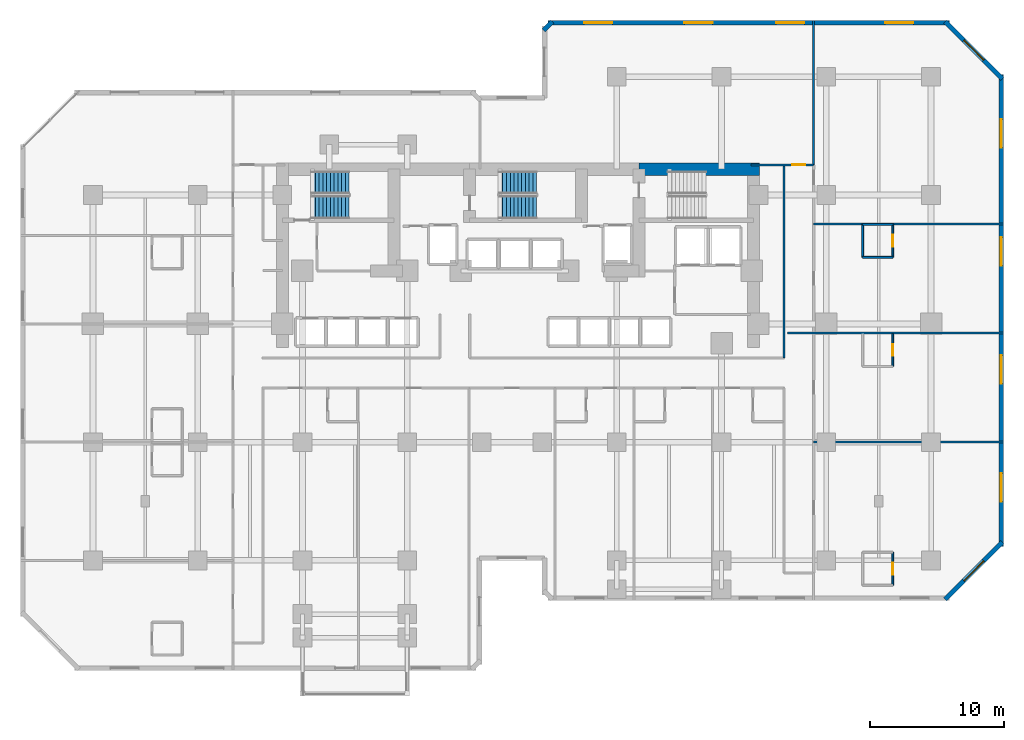
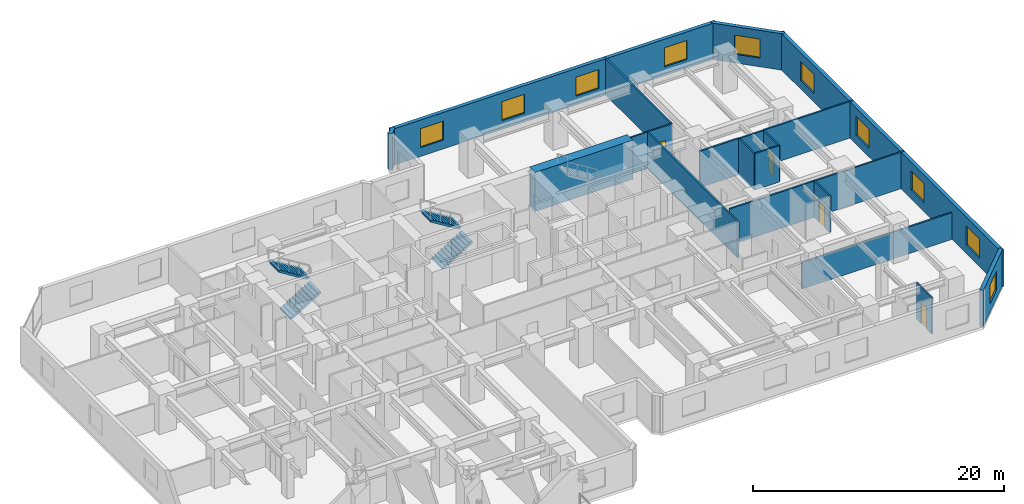
# One storey, part 9 of 12: 19 walls, 10 windows, 4 doors, 4 stair flights, 14 openings, 2 elements without a shape of their own.
"""IFC4 building model written with IfcOpenShell, lengths in metres."""

from ifc_helpers import new_model, si_unit, direction, frame, frame_2d, origin, place, context, subcontext, project, spatial, polyline, rectangle, outline, extrude, material, layer, layer_set, type_object, element, fill, aggregate, save


model = new_model("IFC4")

# Units and contexts
model_context = context("Model", 3, precision=1e-05, world=origin(), true_north=direction((0.0, 1.0)))
body_context = subcontext(model_context, "Body", "Model", "MODEL_VIEW")
ifc_project = project(units=[si_unit("LENGTHUNIT", "METRE"), si_unit("AREAUNIT", "SQUARE_METRE"), si_unit("VOLUMEUNIT", "CUBIC_METRE"), si_unit("PLANEANGLEUNIT", "RADIAN"), si_unit("MASSUNIT", "GRAM", prefix="KILO")], contexts=[model_context])

# Site, building, storey
site_placement = place(None, origin())
site = spatial("IfcSite", under=ifc_project, at=site_placement, CompositionType="ELEMENT")
building_placement = place(site_placement, origin())
building = spatial("IfcBuilding", under=site, at=building_placement, Name="Kestravale Grand Hotel", CompositionType="ELEMENT")
storey_placement = place(building_placement, frame((0.0, 0.0, 60.199951171875)))
storey = spatial("IfcBuildingStorey", under=building, at=storey_placement, Name="L14", CompositionType="ELEMENT", Elevation=60.199951171875)

# Wall
ifc_material_1 = material(Name="Concrete f'c 70 MPa", Category="concrete")
ifc_layer_1 = layer(ifc_material_1, 0.89990234375)
ifc_layer_set_1 = layer_set([ifc_layer_1], Name="EW-CORE-900")
wall_type_1 = type_object("IfcWallType", Name="EW-CORE-900", PredefinedType="SHEAR", material=ifc_layer_set_1)
wall_1_placement = place(storey_placement, frame((48.449951171875, 40.320068359375, 0.0), z_axis=(0.0, 0.0, 1.0), x_axis=(1.0, 0.0, 0.0)))
element("IfcWall", 1, at=wall_1_placement, inside=storey, type_object=wall_type_1, Name="L14 core shear wall N3", PredefinedType="SHEAR", context=body_context, shape_type="SweptSolid", body=[
    extrude(rectangle(XDim=8.969970703125, YDim=0.89990234375, at=frame_2d((4.48486328125, 0.0))), origin(), (0.0, 0.0, 1.0), 3.800048828125),
])

# Wall, opening, window
ifc_material_2 = material(Name="Precast concrete f'c 45 MPa", Category="concrete")
ifc_layer_2 = layer(ifc_material_2, 0.340087890625)
ifc_layer_set_2 = layer_set([ifc_layer_2], Name="EW-PREC-340")
wall_type_2 = type_object("IfcWallType", Name="EW-PREC-340", PredefinedType="SOLIDWALL", material=ifc_layer_set_2)
wall_2_placement = place(storey_placement, frame((71.25146484375, 8.2919921875, 0.0), z_axis=(0.0, 0.0, 1.0), x_axis=(0.707106781187, 0.707106781187, 0.0)))
wall_2 = element("IfcWall", 2, at=wall_2_placement, inside=storey, type_object=wall_type_2, Name="L14 fluted precast facade wall 8", PredefinedType="SOLIDWALL", context=body_context, shape_type="SweptSolid", body=[
    extrude(rectangle(XDim=6.019775390625, YDim=0.340087890625, at=frame_2d((3.009765625, 0.0))), origin(), (0.0, 0.0, 1.0), 3.5400390625),
])
opening_1_placement = place(wall_2_placement, frame((1.9599609375, 0.0, 0.85009765625)))
opening_1 = element("IfcOpeningElement", 3, at=opening_1_placement, cuts=wall_2, Name="Opening W-GUEST-2100", PredefinedType="OPENING", context=body_context, shape_type="SweptSolid", body=[
    extrude(rectangle(XDim=2.10009765625, YDim=1.85009765625, at=frame_2d((1.050048828125, 0.925048828125))), frame((0.0, 0.179931640625, 0.0), z_axis=(0.0, -1.0, 0.0), x_axis=(1.0, 0.0, 0.0)), (0.0, 0.0, 1.0), 0.360107421875),
])
ifc_material_3 = material(Name="Insulated low-E double glazing in aluminium frame", Category="aluminium")
window_type = type_object("IfcWindowType", Name="W-GUEST-2100", PartitioningType="DOUBLE_PANEL_VERTICAL", PredefinedType="WINDOW", material=ifc_material_3)
window_1_placement = place(opening_1_placement, origin())
window_1 = element("IfcWindow", 4, at=window_1_placement, inside=storey, type_object=window_type, Name="L14 exterior window 8.1", OverallHeight=1.85009765625, OverallWidth=2.10009765625, PartitioningType="SINGLE_PANEL", PredefinedType="WINDOW", context=body_context, shape_type="SweptSolid", body=[
    extrude(rectangle(XDim=2.10009765625, YDim=1.85009765625, at=frame_2d((1.050048828125, 0.925048828125))), frame((0.0, 0.030029296875, 0.0), z_axis=(0.0, -1.0, 0.0), x_axis=(1.0, 0.0, 0.0)), (0.0, 0.0, 1.0), 0.06005859375),
])
fill(opening_1, window_1)

# Wall, openings, windows
wall_3_placement = place(storey_placement, frame((75.429931640625, 12.22998046875, 0.0), z_axis=(0.0, 0.0, 1.0), x_axis=(0.0, 1.0, 0.0)))
wall_3 = element("IfcWall", 5, at=wall_3_placement, inside=storey, type_object=wall_type_2, Name="L14 fluted precast facade wall 9", PredefinedType="SOLIDWALL", context=body_context, shape_type="SweptSolid", body=[
    extrude(rectangle(XDim=35.14013671875, YDim=0.340087890625, at=frame_2d((17.570068359375, 0.0))), origin(), (0.0, 0.0, 1.0), 3.5400390625),
])
opening_2_placement = place(wall_3_placement, frame((3.342529296875, 0.0, 0.85009765625)))
opening_2 = element("IfcOpeningElement", 6, at=opening_2_placement, cuts=wall_3, Name="Opening W-GUEST-2100", PredefinedType="OPENING", context=body_context, shape_type="SweptSolid", body=[
    extrude(rectangle(XDim=2.10009765625, YDim=1.85009765625, at=frame_2d((1.050048828125, 0.925048828125))), frame((0.0, 0.179931640625, 0.0), z_axis=(0.0, -1.0, 0.0), x_axis=(1.0, 0.0, 0.0)), (0.0, 0.0, 1.0), 0.360107421875),
])
opening_3_placement = place(wall_3_placement, frame((12.12744140625, 0.0, 0.85009765625)))
opening_3 = element("IfcOpeningElement", 7, at=opening_3_placement, cuts=wall_3, Name="Opening W-GUEST-2100", PredefinedType="OPENING", context=body_context, shape_type="SweptSolid", body=[
    extrude(rectangle(XDim=2.10009765625, YDim=1.85009765625, at=frame_2d((1.050048828125, 0.925048828125))), frame((0.0, 0.179931640625, 0.0), z_axis=(0.0, -1.0, 0.0), x_axis=(1.0, 0.0, 0.0)), (0.0, 0.0, 1.0), 0.360107421875),
])
opening_4_placement = place(wall_3_placement, frame((20.91259765625, 0.0, 0.85009765625)))
opening_4 = element("IfcOpeningElement", 8, at=opening_4_placement, cuts=wall_3, Name="Opening W-GUEST-2100", PredefinedType="OPENING", context=body_context, shape_type="SweptSolid", body=[
    extrude(rectangle(XDim=2.10009765625, YDim=1.85009765625, at=frame_2d((1.050048828125, 0.925048828125))), frame((0.0, 0.179931640625, 0.0), z_axis=(0.0, -1.0, 0.0), x_axis=(1.0, 0.0, 0.0)), (0.0, 0.0, 1.0), 0.360107421875),
])
opening_5_placement = place(wall_3_placement, frame((29.697509765625, 0.0, 0.85009765625)))
opening_5 = element("IfcOpeningElement", 9, at=opening_5_placement, cuts=wall_3, Name="Opening W-GUEST-2100", PredefinedType="OPENING", context=body_context, shape_type="SweptSolid", body=[
    extrude(rectangle(XDim=2.10009765625, YDim=1.85009765625, at=frame_2d((1.050048828125, 0.925048828125))), frame((0.0, 0.179931640625, 0.0), z_axis=(0.0, -1.0, 0.0), x_axis=(1.0, 0.0, 0.0)), (0.0, 0.0, 1.0), 0.360107421875),
])
window_2_placement = place(opening_2_placement, origin())
window_2 = element("IfcWindow", 10, at=window_2_placement, inside=storey, type_object=window_type, Name="L14 exterior window 9.1", OverallHeight=1.85009765625, OverallWidth=2.10009765625, PartitioningType="SINGLE_PANEL", PredefinedType="WINDOW", context=body_context, shape_type="SweptSolid", body=[
    extrude(rectangle(XDim=2.10009765625, YDim=1.85009765625, at=frame_2d((1.050048828125, 0.925048828125))), frame((0.0, 0.030029296875, 0.0), z_axis=(0.0, -1.0, 0.0), x_axis=(1.0, 0.0, 0.0)), (0.0, 0.0, 1.0), 0.06005859375),
])
fill(opening_2, window_2)
window_3_placement = place(opening_3_placement, origin())
window_3 = element("IfcWindow", 11, at=window_3_placement, inside=storey, type_object=window_type, Name="L14 exterior window 9.2", OverallHeight=1.85009765625, OverallWidth=2.10009765625, PartitioningType="SINGLE_PANEL", PredefinedType="WINDOW", context=body_context, shape_type="SweptSolid", body=[
    extrude(rectangle(XDim=2.10009765625, YDim=1.85009765625, at=frame_2d((1.050048828125, 0.925048828125))), frame((0.0, 0.030029296875, 0.0), z_axis=(0.0, -1.0, 0.0), x_axis=(1.0, 0.0, 0.0)), (0.0, 0.0, 1.0), 0.06005859375),
])
fill(opening_3, window_3)
window_4_placement = place(opening_4_placement, origin())
window_4 = element("IfcWindow", 12, at=window_4_placement, inside=storey, type_object=window_type, Name="L14 exterior window 9.3", OverallHeight=1.85009765625, OverallWidth=2.10009765625, PartitioningType="SINGLE_PANEL", PredefinedType="WINDOW", context=body_context, shape_type="SweptSolid", body=[
    extrude(rectangle(XDim=2.10009765625, YDim=1.85009765625, at=frame_2d((1.050048828125, 0.925048828125))), frame((0.0, 0.030029296875, 0.0), z_axis=(0.0, -1.0, 0.0), x_axis=(1.0, 0.0, 0.0)), (0.0, 0.0, 1.0), 0.06005859375),
])
fill(opening_4, window_4)
window_5_placement = place(opening_5_placement, origin())
window_5 = element("IfcWindow", 13, at=window_5_placement, inside=storey, type_object=window_type, Name="L14 exterior window 9.4", OverallHeight=1.85009765625, OverallWidth=2.10009765625, PartitioningType="SINGLE_PANEL", PredefinedType="WINDOW", context=body_context, shape_type="SweptSolid", body=[
    extrude(rectangle(XDim=2.10009765625, YDim=1.85009765625, at=frame_2d((1.050048828125, 0.925048828125))), frame((0.0, 0.030029296875, 0.0), z_axis=(0.0, -1.0, 0.0), x_axis=(1.0, 0.0, 0.0)), (0.0, 0.0, 1.0), 0.06005859375),
])
fill(opening_5, window_5)

# Wall, opening, window
wall_4_placement = place(storey_placement, frame((75.508056640625, 47.051513671875, 0.0), z_axis=(0.0, 0.0, 1.0), x_axis=(-0.707106781187, 0.707106781187, 0.0)))
wall_4 = element("IfcWall", 14, at=wall_4_placement, inside=storey, type_object=wall_type_2, Name="L14 fluted precast facade wall 10", PredefinedType="SOLIDWALL", context=body_context, shape_type="SweptSolid", body=[
    extrude(rectangle(XDim=6.019775390625, YDim=0.340087890625, at=frame_2d((3.009765625, 0.0))), origin(), (0.0, 0.0, 1.0), 3.5400390625),
])
opening_6_placement = place(wall_4_placement, frame((1.9599609375, 0.0, 0.85009765625)))
opening_6 = element("IfcOpeningElement", 15, at=opening_6_placement, cuts=wall_4, Name="Opening W-GUEST-2100", PredefinedType="OPENING", context=body_context, shape_type="SweptSolid", body=[
    extrude(rectangle(XDim=2.10009765625, YDim=1.85009765625, at=frame_2d((1.050048828125, 0.925048828125))), frame((0.0, 0.179931640625, 0.0), z_axis=(0.0, -1.0, 0.0), x_axis=(1.0, 0.0, 0.0)), (0.0, 0.0, 1.0), 0.360107421875),
])
window_6_placement = place(opening_6_placement, origin())
window_6 = element("IfcWindow", 16, at=window_6_placement, inside=storey, type_object=window_type, Name="L14 exterior window 10.1", OverallHeight=1.85009765625, OverallWidth=2.10009765625, PartitioningType="SINGLE_PANEL", PredefinedType="WINDOW", context=body_context, shape_type="SweptSolid", body=[
    extrude(rectangle(XDim=2.10009765625, YDim=1.85009765625, at=frame_2d((1.050048828125, 0.925048828125))), frame((0.0, 0.030029296875, 0.0), z_axis=(0.0, -1.0, 0.0), x_axis=(1.0, 0.0, 0.0)), (0.0, 0.0, 1.0), 0.06005859375),
])
fill(opening_6, window_6)

# Wall, openings, windows
wall_5_placement = place(storey_placement, frame((71.570068359375, 51.22998046875, 0.0), z_axis=(0.0, 0.0, 1.0), x_axis=(-1.0, 0.0, 0.0)))
wall_5 = element("IfcWall", 17, at=wall_5_placement, inside=storey, type_object=wall_type_2, Name="L14 fluted precast facade wall 11", PredefinedType="SOLIDWALL", context=body_context, shape_type="SweptSolid", body=[
    extrude(rectangle(XDim=29.89013671875, YDim=0.340087890625, at=frame_2d((14.945068359375, 0.0))), origin(), (0.0, 0.0, 1.0), 3.5400390625),
])
opening_7_placement = place(wall_5_placement, frame((2.686279296875, 0.0, 0.85009765625)))
opening_7 = element("IfcOpeningElement", 18, at=opening_7_placement, cuts=wall_5, Name="Opening W-GUEST-2100", PredefinedType="OPENING", context=body_context, shape_type="SweptSolid", body=[
    extrude(rectangle(XDim=2.10009765625, YDim=1.85009765625, at=frame_2d((1.050048828125, 0.925048828125))), frame((0.0, 0.179931640625, 0.0), z_axis=(0.0, -1.0, 0.0), x_axis=(1.0, 0.0, 0.0)), (0.0, 0.0, 1.0), 0.360107421875),
])
opening_8_placement = place(wall_5_placement, frame((10.80859375, 0.0, 0.85009765625)))
opening_8 = element("IfcOpeningElement", 19, at=opening_8_placement, cuts=wall_5, Name="Opening W-GUEST-2100", PredefinedType="OPENING", context=body_context, shape_type="SweptSolid", body=[
    extrude(rectangle(XDim=2.10009765625, YDim=1.85009765625, at=frame_2d((1.050048828125, 0.925048828125))), frame((0.0, 0.179931640625, 0.0), z_axis=(0.0, -1.0, 0.0), x_axis=(1.0, 0.0, 0.0)), (0.0, 0.0, 1.0), 0.360107421875),
])
opening_9_placement = place(wall_5_placement, frame((17.631103515625, 0.0, 0.85009765625)))
opening_9 = element("IfcOpeningElement", 20, at=opening_9_placement, cuts=wall_5, Name="Opening W-GUEST-2100", PredefinedType="OPENING", context=body_context, shape_type="SweptSolid", body=[
    extrude(rectangle(XDim=2.10009765625, YDim=1.85009765625, at=frame_2d((1.050048828125, 0.925048828125))), frame((0.0, 0.179931640625, 0.0), z_axis=(0.0, -1.0, 0.0), x_axis=(1.0, 0.0, 0.0)), (0.0, 0.0, 1.0), 0.360107421875),
])
opening_10_placement = place(wall_5_placement, frame((25.103759765625, 0.0, 0.85009765625)))
opening_10 = element("IfcOpeningElement", 21, at=opening_10_placement, cuts=wall_5, Name="Opening W-GUEST-2100", PredefinedType="OPENING", context=body_context, shape_type="SweptSolid", body=[
    extrude(rectangle(XDim=2.10009765625, YDim=1.85009765625, at=frame_2d((1.050048828125, 0.925048828125))), frame((0.0, 0.179931640625, 0.0), z_axis=(0.0, -1.0, 0.0), x_axis=(1.0, 0.0, 0.0)), (0.0, 0.0, 1.0), 0.360107421875),
])
window_7_placement = place(opening_7_placement, origin())
window_7 = element("IfcWindow", 22, at=window_7_placement, inside=storey, type_object=window_type, Name="L14 exterior window 11.1", OverallHeight=1.85009765625, OverallWidth=2.10009765625, PartitioningType="SINGLE_PANEL", PredefinedType="WINDOW", context=body_context, shape_type="SweptSolid", body=[
    extrude(rectangle(XDim=2.10009765625, YDim=1.85009765625, at=frame_2d((1.050048828125, 0.925048828125))), frame((0.0, 0.030029296875, 0.0), z_axis=(0.0, -1.0, 0.0), x_axis=(1.0, 0.0, 0.0)), (0.0, 0.0, 1.0), 0.06005859375),
])
fill(opening_7, window_7)
window_8_placement = place(opening_8_placement, origin())
window_8 = element("IfcWindow", 23, at=window_8_placement, inside=storey, type_object=window_type, Name="L14 exterior window 11.2", OverallHeight=1.85009765625, OverallWidth=2.10009765625, PartitioningType="SINGLE_PANEL", PredefinedType="WINDOW", context=body_context, shape_type="SweptSolid", body=[
    extrude(rectangle(XDim=2.10009765625, YDim=1.85009765625, at=frame_2d((1.050048828125, 0.925048828125))), frame((0.0, 0.030029296875, 0.0), z_axis=(0.0, -1.0, 0.0), x_axis=(1.0, 0.0, 0.0)), (0.0, 0.0, 1.0), 0.06005859375),
])
fill(opening_8, window_8)
window_9_placement = place(opening_9_placement, origin())
window_9 = element("IfcWindow", 24, at=window_9_placement, inside=storey, type_object=window_type, Name="L14 exterior window 11.3", OverallHeight=1.85009765625, OverallWidth=2.10009765625, PartitioningType="SINGLE_PANEL", PredefinedType="WINDOW", context=body_context, shape_type="SweptSolid", body=[
    extrude(rectangle(XDim=2.10009765625, YDim=1.85009765625, at=frame_2d((1.050048828125, 0.925048828125))), frame((0.0, 0.030029296875, 0.0), z_axis=(0.0, -1.0, 0.0), x_axis=(1.0, 0.0, 0.0)), (0.0, 0.0, 1.0), 0.06005859375),
])
fill(opening_9, window_9)
window_10_placement = place(opening_10_placement, origin())
window_10 = element("IfcWindow", 25, at=window_10_placement, inside=storey, type_object=window_type, Name="L14 exterior window 11.4", OverallHeight=1.85009765625, OverallWidth=2.10009765625, PartitioningType="SINGLE_PANEL", PredefinedType="WINDOW", context=body_context, shape_type="SweptSolid", body=[
    extrude(rectangle(XDim=2.10009765625, YDim=1.85009765625, at=frame_2d((1.050048828125, 0.925048828125))), frame((0.0, 0.030029296875, 0.0), z_axis=(0.0, -1.0, 0.0), x_axis=(1.0, 0.0, 0.0)), (0.0, 0.0, 1.0), 0.06005859375),
])
fill(opening_10, window_10)

# Walls
wall_6_placement = place(storey_placement, frame((41.99853515625, 51.30810546875, 0.0), z_axis=(0.0, 0.0, 1.0), x_axis=(-0.707238225886, -0.706975312048, 0.0)))
element("IfcWall", 26, at=wall_6_placement, inside=storey, type_object=wall_type_2, Name="L14 fluted precast facade wall 12", PredefinedType="SOLIDWALL", context=body_context, shape_type="SweptSolid", body=[
    extrude(rectangle(XDim=0.9287109375, YDim=0.340087890625, at=frame_2d((0.46435546875, 0.0))), origin(), (0.0, 0.0, 1.0), 3.5400390625),
])
ifc_material_4 = material(Name="Acoustic fire-rated gypsum board partition", Category="other")
ifc_layer_3 = layer(ifc_material_4, 0.159912109375)
ifc_layer_set_3 = layer_set([ifc_layer_3], Name="IW-CORR-160")
wall_type_3 = type_object("IfcWallType", Name="IW-CORR-160", PredefinedType="PARTITIONING", material=ifc_layer_set_3)
wall_7_placement = place(storey_placement, frame((59.239990234375, 26.260009765625, 0.0), z_axis=(0.0, 0.0, 1.0), x_axis=(0.0, 1.0, 0.0)))
element("IfcWall", 27, at=wall_7_placement, inside=storey, type_object=wall_type_3, Name="W-L14-SE-WU", PredefinedType="PARTITIONING", context=body_context, shape_type="SweptSolid", body=[
    extrude(rectangle(XDim=14.389892578125, YDim=0.159912109375, at=frame_2d((7.19482421875, 0.0))), origin(), (0.0, 0.0, 1.0), 3.5400390625),
])

# Wall, opening, door
ifc_material_5 = material(Name="Moisture-resistant tile-backer plumbing chase wall", Category="other")
ifc_layer_4 = layer(ifc_material_5, 0.139892578125)
ifc_layer_set_4 = layer_set([ifc_layer_4], Name="IW-PLB-140")
wall_type_4 = type_object("IfcWallType", Name="IW-PLB-140", PredefinedType="PLUMBINGWALL", material=ifc_layer_set_4)
wall_8_placement = place(storey_placement, frame((67.35009765625, 9.35009765625, 0.0), z_axis=(0.0, 0.0, 1.0), x_axis=(0.0, 1.0, 0.0)))
wall_8 = element("IfcWall", 28, at=wall_8_placement, inside=storey, type_object=wall_type_4, Name="W-L14-U09-BE", PredefinedType="PLUMBINGWALL", context=body_context, shape_type="SweptSolid", body=[
    extrude(rectangle(XDim=2.449951171875, YDim=0.139892578125, at=frame_2d((1.22509765625, 0.0))), origin(), (0.0, 0.0, 1.0), 3.5400390625),
])
opening_11_placement = place(wall_8_placement, frame((0.784912109375, 0.0, 0.0)))
opening_11 = element("IfcOpeningElement", 29, at=opening_11_placement, cuts=wall_8, Name="Opening D-BATH-880", PredefinedType="OPENING", context=body_context, shape_type="SweptSolid", body=[
    extrude(rectangle(XDim=0.8798828125, YDim=2.050048828125, at=frame_2d((0.43994140625, 1.02490234375))), frame((0.0, 0.079833984375, 0.0), z_axis=(0.0, -1.0, 0.0), x_axis=(1.0, 0.0, 0.0)), (0.0, 0.0, 1.0), 0.159912109375),
])
ifc_material_6 = material(Name="Moisture-sealed walnut en-suite bathroom door", Category="wood")
door_type_1 = type_object("IfcDoorType", Name="D-BATH-880", OperationType="NOTDEFINED", PredefinedType="DOOR", material=ifc_material_6)
door_1_placement = place(opening_11_placement, origin())
door_1 = element("IfcDoor", 30, at=door_1_placement, inside=storey, type_object=door_type_1, Name="D-L14-U09-BATH", OperationType="SINGLE_SWING_LEFT", OverallHeight=2.050048828125, OverallWidth=0.8798828125, PredefinedType="DOOR", context=body_context, shape_type="SweptSolid", body=[
    extrude(rectangle(XDim=0.8798828125, YDim=2.050048828125, at=frame_2d((0.43994140625, 1.02490234375))), frame((0.0, 0.02490234375, 0.0), z_axis=(0.0, -1.0, 0.0), x_axis=(1.0, 0.0, 0.0)), (0.0, 0.0, 1.0), 0.050048828125),
])
fill(opening_11, door_1)

wall_9_placement = place(storey_placement, frame((67.35009765625, 25.635009765625, 0.0), z_axis=(0.0, 0.0, 1.0), x_axis=(0.0, 1.0, 0.0)))
wall_9 = element("IfcWall", 31, at=wall_9_placement, inside=storey, type_object=wall_type_4, Name="W-L14-U10-BE", PredefinedType="PLUMBINGWALL", context=body_context, shape_type="SweptSolid", body=[
    extrude(rectangle(XDim=2.449951171875, YDim=0.139892578125, at=frame_2d((1.22509765625, 0.0))), origin(), (0.0, 0.0, 1.0), 3.5400390625),
])
opening_12_placement = place(wall_9_placement, frame((0.784912109375, 0.0, 0.0)))
opening_12 = element("IfcOpeningElement", 32, at=opening_12_placement, cuts=wall_9, Name="Opening D-BATH-880", PredefinedType="OPENING", context=body_context, shape_type="SweptSolid", body=[
    extrude(rectangle(XDim=0.8798828125, YDim=2.050048828125, at=frame_2d((0.43994140625, 1.02490234375))), frame((0.0, 0.079833984375, 0.0), z_axis=(0.0, -1.0, 0.0), x_axis=(1.0, 0.0, 0.0)), (0.0, 0.0, 1.0), 0.159912109375),
])
door_2_placement = place(opening_12_placement, origin())
door_2 = element("IfcDoor", 33, at=door_2_placement, inside=storey, type_object=door_type_1, Name="D-L14-U10-BATH", OperationType="SINGLE_SWING_LEFT", OverallHeight=2.050048828125, OverallWidth=0.8798828125, PredefinedType="DOOR", context=body_context, shape_type="SweptSolid", body=[
    extrude(rectangle(XDim=0.8798828125, YDim=2.050048828125, at=frame_2d((0.43994140625, 1.02490234375))), frame((0.0, 0.02490234375, 0.0), z_axis=(0.0, -1.0, 0.0), x_axis=(1.0, 0.0, 0.0)), (0.0, 0.0, 1.0), 0.050048828125),
])
fill(opening_12, door_2)

# Wall
wall_10_placement = place(storey_placement, frame((65.10009765625, 33.760009765625, 0.0), z_axis=(0.0, 0.0, 1.0), x_axis=(0.0, 1.0, 0.0)))
element("IfcWall", 34, at=wall_10_placement, inside=storey, type_object=wall_type_4, Name="W-L14-U11-BW", PredefinedType="PLUMBINGWALL", context=body_context, shape_type="SweptSolid", body=[
    extrude(rectangle(XDim=2.449951171875, YDim=0.139892578125, at=frame_2d((1.22509765625, 0.0))), origin(), (0.0, 0.0, 1.0), 3.5400390625),
])

# Wall, opening, door
wall_11_placement = place(storey_placement, frame((67.35009765625, 33.760009765625, 0.0), z_axis=(0.0, 0.0, 1.0), x_axis=(0.0, 1.0, 0.0)))
wall_11 = element("IfcWall", 35, at=wall_11_placement, inside=storey, type_object=wall_type_4, Name="W-L14-U11-BE", PredefinedType="PLUMBINGWALL", context=body_context, shape_type="SweptSolid", body=[
    extrude(rectangle(XDim=2.449951171875, YDim=0.139892578125, at=frame_2d((1.22509765625, 0.0))), origin(), (0.0, 0.0, 1.0), 3.5400390625),
])
opening_13_placement = place(wall_11_placement, frame((0.784912109375, 0.0, 0.0)))
opening_13 = element("IfcOpeningElement", 36, at=opening_13_placement, cuts=wall_11, Name="Opening D-BATH-880", PredefinedType="OPENING", context=body_context, shape_type="SweptSolid", body=[
    extrude(rectangle(XDim=0.8798828125, YDim=2.050048828125, at=frame_2d((0.43994140625, 1.02490234375))), frame((0.0, 0.079833984375, 0.0), z_axis=(0.0, -1.0, 0.0), x_axis=(1.0, 0.0, 0.0)), (0.0, 0.0, 1.0), 0.159912109375),
])
door_3_placement = place(opening_13_placement, origin())
door_3 = element("IfcDoor", 37, at=door_3_placement, inside=storey, type_object=door_type_1, Name="D-L14-U11-BATH", OperationType="SINGLE_SWING_LEFT", OverallHeight=2.050048828125, OverallWidth=0.8798828125, PredefinedType="DOOR", context=body_context, shape_type="SweptSolid", body=[
    extrude(rectangle(XDim=0.8798828125, YDim=2.050048828125, at=frame_2d((0.43994140625, 1.02490234375))), frame((0.0, 0.02490234375, 0.0), z_axis=(0.0, -1.0, 0.0), x_axis=(1.0, 0.0, 0.0)), (0.0, 0.0, 1.0), 0.050048828125),
])
fill(opening_13, door_3)

# Walls
for number, where, z_axis, x_axis, name in (
    (38, (65.10009765625, 33.760009765625, 0.0), (0.0, 0.0, 1.0), (1.0, 0.0, 0.0), "W-L14-U11-BS"),
    (39, (65.10009765625, 36.2099609375, 0.0), (0.0, 0.0, 1.0), (1.0, 0.0, 0.0), "W-L14-U11-BN"),
):
    element("IfcWall", number, at=place(storey_placement, frame(where, z_axis=z_axis, x_axis=x_axis)), inside=storey, type_object=wall_type_4, Name=name, PredefinedType="PLUMBINGWALL", context=body_context, shape_type="SweptSolid", body=[
        extrude(rectangle(XDim=2.25, YDim=0.139892578125, at=frame_2d((1.125, 0.0))), origin(), (0.0, 0.0, 1.0), 3.5400390625),
    ])

# Wall, opening, door
ifc_material_7 = material(Name="Double-stud STC 52 acoustic demising partition", Category="other")
ifc_layer_5 = layer(ifc_material_7, 0.14990234375)
ifc_layer_set_5 = layer_set([ifc_layer_5], Name="IW-UNIT-150")
wall_type_5 = type_object("IfcWallType", Name="IW-UNIT-150", PredefinedType="PARTITIONING", material=ifc_layer_set_5)
wall_12_placement = place(storey_placement, frame((56.800048828125, 40.64990234375, 0.0), z_axis=(0.0, 0.0, 1.0), x_axis=(1.0, 0.0, 0.0)))
wall_12 = element("IfcWall", 40, at=wall_12_placement, inside=storey, type_object=wall_type_5, Name="W-L14-SE-N", PredefinedType="PARTITIONING", context=body_context, shape_type="SweptSolid", body=[
    extrude(rectangle(XDim=4.659912109375, YDim=0.14990234375, at=frame_2d((2.330078125, 0.0))), origin(), (0.0, 0.0, 1.0), 3.5400390625),
])
opening_14_placement = place(wall_12_placement, frame((3.050048828125, 0.0, 0.0)))
opening_14 = element("IfcOpeningElement", 41, at=opening_14_placement, cuts=wall_12, Name="Opening D-GUEST-1000", PredefinedType="OPENING", context=body_context, shape_type="SweptSolid", body=[
    extrude(rectangle(XDim=1.0, YDim=2.14990234375, at=frame_2d((0.5, 1.074951171875))), frame((0.0, 0.0849609375, 0.0), z_axis=(0.0, -1.0, 0.0), x_axis=(1.0, 0.0, 0.0)), (0.0, 0.0, 1.0), 0.169921875),
])
ifc_material_8 = material(Name="Accessible walnut veneer hotel entrance fire door", Category="wood")
door_type_2 = type_object("IfcDoorType", Name="D-GUEST-1000", OperationType="NOTDEFINED", PredefinedType="DOOR", material=ifc_material_8)
door_4_placement = place(opening_14_placement, origin())
door_4 = element("IfcDoor", 42, at=door_4_placement, inside=storey, type_object=door_type_2, Name="L14 NE Gallery Door", OperationType="SINGLE_SWING_LEFT", OverallHeight=2.14990234375, OverallWidth=1.0, PredefinedType="DOOR", context=body_context, shape_type="SweptSolid", body=[
    extrude(rectangle(XDim=1.0, YDim=2.14990234375, at=frame_2d((0.5, 1.074951171875))), frame((0.0, 0.02490234375, 0.0), z_axis=(0.0, -1.0, 0.0), x_axis=(1.0, 0.0, 0.0)), (0.0, 0.0, 1.0), 0.050048828125),
])
fill(opening_14, door_4)

# Walls
wall_13_placement = place(storey_placement, frame((61.4599609375, 40.64990234375, 0.0), z_axis=(0.0, 0.0, 1.0), x_axis=(0.0, 1.0, 0.0)))
element("IfcWall", 43, at=wall_13_placement, inside=storey, type_object=wall_type_5, Name="W-L14-NGE-E", PredefinedType="PARTITIONING", context=body_context, shape_type="SweptSolid", body=[
    extrude(rectangle(XDim=10.72998046875, YDim=0.14990234375, at=frame_2d((5.364990234375, 0.0))), origin(), (0.0, 0.0, 1.0), 3.5400390625),
])
wall_14_placement = place(storey_placement, frame((61.4599609375, 20.0, 0.0), z_axis=(0.0, 0.0, 1.0), x_axis=(1.0, 0.0, 0.0)))
element("IfcWall", 44, at=wall_14_placement, inside=storey, type_object=wall_type_5, Name="W-L14-EW-1", PredefinedType="PARTITIONING", context=body_context, shape_type="SweptSolid", body=[
    extrude(rectangle(XDim=14.1201171875, YDim=0.14990234375, at=frame_2d((7.06005859375, 0.0))), origin(), (0.0, 0.0, 1.0), 2.593017578125),
])
wall_15_placement = place(storey_placement, frame((59.510009765625, 28.125, 0.0), z_axis=(0.0, 0.0, 1.0), x_axis=(1.0, 0.0, 0.0)))
element("IfcWall", 45, at=wall_15_placement, inside=storey, type_object=wall_type_5, Name="W-L14-ASPL-10", PredefinedType="PARTITIONING", context=body_context, shape_type="SweptSolid", body=[
    extrude(rectangle(XDim=16.070068359375, YDim=0.14990234375, at=frame_2d((8.03515625, 0.0))), origin(), (0.0, 0.0, 1.0), 3.5400390625),
])
wall_16_placement = place(storey_placement, frame((61.4599609375, 36.25, 0.0), z_axis=(0.0, 0.0, 1.0), x_axis=(1.0, 0.0, 0.0)))
element("IfcWall", 46, at=wall_16_placement, inside=storey, type_object=wall_type_5, Name="W-L14-EW-2", PredefinedType="PARTITIONING", context=body_context, shape_type="SweptSolid", body=[
    extrude(rectangle(XDim=3.64013671875, YDim=0.14990234375, at=frame_2d((1.820068359375, 0.0))), origin(), (0.0, 0.0, 1.0), 3.5400390625),
])
wall_17_placement = place(storey_placement, frame((67.35009765625, 36.25, 0.0), z_axis=(0.0, 0.0, 1.0), x_axis=(1.0, 0.0, 0.0)))
element("IfcWall", 47, at=wall_17_placement, inside=storey, type_object=wall_type_5, Name="W-L14-EW-2", PredefinedType="PARTITIONING", context=body_context, shape_type="SweptSolid", body=[
    extrude(rectangle(XDim=8.22998046875, YDim=0.14990234375, at=frame_2d((4.114990234375, 0.0))), origin(), (0.0, 0.0, 1.0), 3.5400390625),
])

# Stair, stair flights
ifc_material_9 = material(Name="Concrete f'c 45 MPa", Category="concrete")
stair_type = type_object("IfcStairType", Name="ST-CORE-380", PredefinedType="HALF_TURN_STAIR", material=ifc_material_9)
stair_1_placement = place(storey_placement, origin())
stair_1 = element("IfcStair", 48, at=stair_1_placement, inside=storey, type_object=stair_type, Name="L14 ST-1", PredefinedType="HALF_TURN_STAIR")
ifc_material_10 = material(Name="Concrete f'c 45 MPa", Category="concrete")
stair_flight_type = type_object("IfcStairFlightType", Name="STF-CORE-380", PredefinedType="STRAIGHT", material=ifc_material_10)
stair_flight_1_placement = place(storey_placement, frame((24.080078125, 37.489990234375, 0.0), z_axis=(0.0, 0.0, 1.0), x_axis=(1.0, 0.0, 0.0)))
stair_flight_1 = element("IfcStairFlight", 49, at=stair_flight_1_placement, type_object=stair_flight_type, Name="ST-1 flight 1", NumberOfRisers=11, NumberOfTreads=10, PredefinedType="STRAIGHT", RiserHeight=0.172727273, TreadLength=0.28, context=body_context, shape_type="SweptSolid", body=[
    extrude(outline(polyline([(0.0, 0.0), (0.0, 0.172607421875), (0.280029296875, 0.172607421875), (0.280029296875, 0.345458984375), (0.56005859375, 0.345458984375), (0.56005859375, 0.51806640625), (0.840087890625, 0.51806640625), (0.840087890625, 0.69091796875), (1.1201171875, 0.69091796875), (1.1201171875, 0.863525390625), (1.39990234375, 0.863525390625), (1.39990234375, 1.036376953125), (1.679931640625, 1.036376953125), (1.679931640625, 1.208984375), (1.9599609375, 1.208984375), (1.9599609375, 1.3818359375), (2.239990234375, 1.3818359375), (2.239990234375, 1.554443359375), (2.52001953125, 1.554443359375), (2.52001953125, 1.727294921875), (2.800048828125, 1.727294921875), (2.800048828125, 1.89990234375), (2.800048828125, 1.551025390625), (0.285400390625, 0.0), (0.0, 0.0)])), frame((0.0, 0.83984375, 0.0), z_axis=(0.0, -1.0, 0.0), x_axis=(1.0, 0.0, 0.0)), (0.0, 0.0, 1.0), 1.679931640625),
])
stair_flight_2_placement = place(storey_placement, frame((26.8798828125, 39.320068359375, 1.900146484375), z_axis=(0.0, 0.0, 1.0), x_axis=(-1.0, 0.0, 0.0)))
stair_flight_2 = element("IfcStairFlight", 50, at=stair_flight_2_placement, type_object=stair_flight_type, Name="ST-1 flight 2", NumberOfRisers=11, NumberOfTreads=10, PredefinedType="STRAIGHT", RiserHeight=0.172727273, TreadLength=0.28, context=body_context, shape_type="SweptSolid", body=[
    extrude(outline(polyline([(0.0, 0.0), (0.0, 0.172607421875), (0.280029296875, 0.172607421875), (0.280029296875, 0.345458984375), (0.56005859375, 0.345458984375), (0.56005859375, 0.51806640625), (0.840087890625, 0.51806640625), (0.840087890625, 0.69091796875), (1.1201171875, 0.69091796875), (1.1201171875, 0.863525390625), (1.39990234375, 0.863525390625), (1.39990234375, 1.036376953125), (1.679931640625, 1.036376953125), (1.679931640625, 1.208984375), (1.9599609375, 1.208984375), (1.9599609375, 1.3818359375), (2.239990234375, 1.3818359375), (2.239990234375, 1.554443359375), (2.52001953125, 1.554443359375), (2.52001953125, 1.727294921875), (2.800048828125, 1.727294921875), (2.800048828125, 1.89990234375), (2.800048828125, 1.551025390625), (0.285400390625, 0.0), (0.0, 0.0)])), frame((0.0, 0.83984375, 0.0), z_axis=(0.0, -1.0, 0.0), x_axis=(1.0, 0.0, 0.0)), (0.0, 0.0, 1.0), 1.679931640625),
])
aggregate(stair_1, [stair_flight_1, stair_flight_2])

stair_2_placement = place(storey_placement, origin())
stair_2 = element("IfcStair", 51, at=stair_2_placement, inside=storey, type_object=stair_type, Name="L14 ST-2", PredefinedType="HALF_TURN_STAIR")
stair_flight_3_placement = place(storey_placement, frame((38.030029296875, 37.489990234375, 0.0), z_axis=(0.0, 0.0, 1.0), x_axis=(1.0, 0.0, 0.0)))
stair_flight_3 = element("IfcStairFlight", 52, at=stair_flight_3_placement, type_object=stair_flight_type, Name="ST-2 flight 1", NumberOfRisers=11, NumberOfTreads=10, PredefinedType="STRAIGHT", RiserHeight=0.172727273, TreadLength=0.28, context=body_context, shape_type="SweptSolid", body=[
    extrude(outline(polyline([(0.0, 0.0), (0.0, 0.172607421875), (0.280029296875, 0.172607421875), (0.280029296875, 0.345458984375), (0.56005859375, 0.345458984375), (0.56005859375, 0.51806640625), (0.840087890625, 0.51806640625), (0.840087890625, 0.69091796875), (1.1201171875, 0.69091796875), (1.1201171875, 0.863525390625), (1.39990234375, 0.863525390625), (1.39990234375, 1.036376953125), (1.679931640625, 1.036376953125), (1.679931640625, 1.208984375), (1.9599609375, 1.208984375), (1.9599609375, 1.3818359375), (2.239990234375, 1.3818359375), (2.239990234375, 1.554443359375), (2.52001953125, 1.554443359375), (2.52001953125, 1.727294921875), (2.800048828125, 1.727294921875), (2.800048828125, 1.89990234375), (2.800048828125, 1.551025390625), (0.285400390625, 0.0), (0.0, 0.0)])), frame((0.0, 0.83984375, 0.0), z_axis=(0.0, -1.0, 0.0), x_axis=(1.0, 0.0, 0.0)), (0.0, 0.0, 1.0), 1.679931640625),
])
stair_flight_4_placement = place(storey_placement, frame((40.830078125, 39.320068359375, 1.900146484375), z_axis=(0.0, 0.0, 1.0), x_axis=(-1.0, 0.0, 0.0)))
stair_flight_4 = element("IfcStairFlight", 53, at=stair_flight_4_placement, type_object=stair_flight_type, Name="ST-2 flight 2", NumberOfRisers=11, NumberOfTreads=10, PredefinedType="STRAIGHT", RiserHeight=0.172727273, TreadLength=0.28, context=body_context, shape_type="SweptSolid", body=[
    extrude(outline(polyline([(0.0, 0.0), (0.0, 0.172607421875), (0.280029296875, 0.172607421875), (0.280029296875, 0.345458984375), (0.56005859375, 0.345458984375), (0.56005859375, 0.51806640625), (0.840087890625, 0.51806640625), (0.840087890625, 0.69091796875), (1.1201171875, 0.69091796875), (1.1201171875, 0.863525390625), (1.39990234375, 0.863525390625), (1.39990234375, 1.036376953125), (1.679931640625, 1.036376953125), (1.679931640625, 1.208984375), (1.9599609375, 1.208984375), (1.9599609375, 1.3818359375), (2.239990234375, 1.3818359375), (2.239990234375, 1.554443359375), (2.52001953125, 1.554443359375), (2.52001953125, 1.727294921875), (2.800048828125, 1.727294921875), (2.800048828125, 1.89990234375), (2.800048828125, 1.551025390625), (0.285400390625, 0.0), (0.0, 0.0)])), frame((0.0, 0.83984375, 0.0), z_axis=(0.0, -1.0, 0.0), x_axis=(1.0, 0.0, 0.0)), (0.0, 0.0, 1.0), 1.679931640625),
])
aggregate(stair_2, [stair_flight_3, stair_flight_4])

save(model, "model.ifc")
